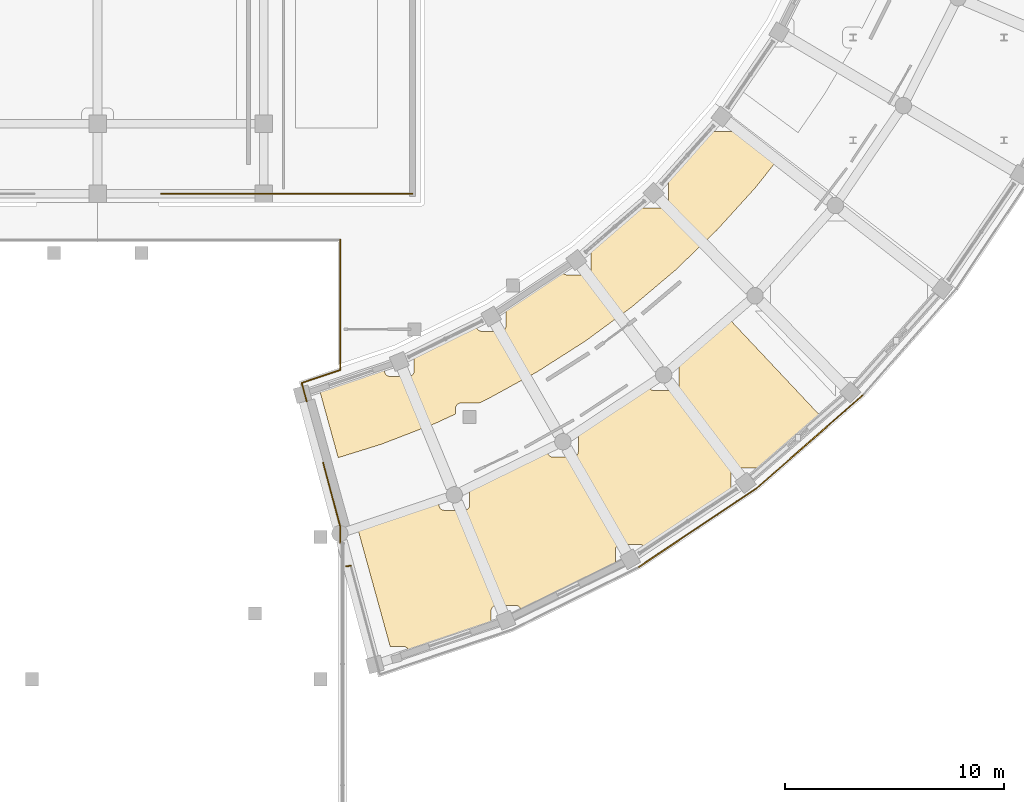
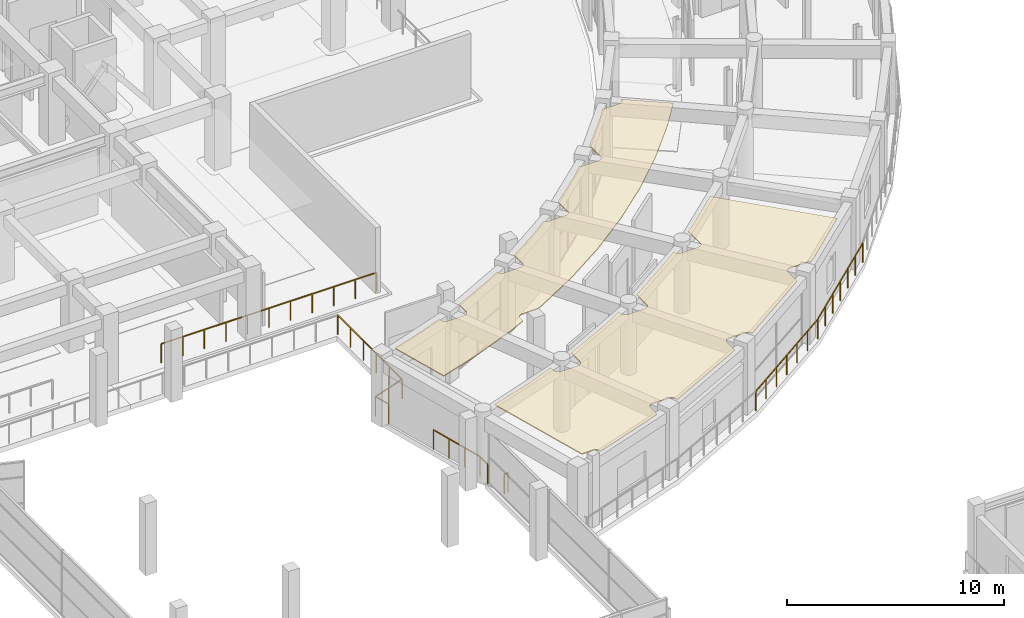
# One storey, part 73 of 87: 9 railings, 2 coverings.
"""IFC4 building model written with IfcOpenShell, lengths in metres."""

import ifcopenshell
import ifcopenshell.guid

model = None  # the IFC model being written
_history = None  # IfcOwnerHistory: only IFC2X3 demands one
_inside = {}  # id of a spatial element -> (the spatial element, [elements in it])
_under = {}  # id of a project, library or spatial element -> (it, [spatial elements below it])
_declared = {}  # id of a project -> (the project, [libraries it declares])
_typed = {}  # id of a type object -> (the type object, [elements of that type])
_made_of = {}  # id of a material, layer set ... -> (it, [elements and type objects made of it])


def new_model(schema):
    """Start an empty IFC model of exactly this schema.

    Asked for "IFC4X3", IfcOpenShell would pick the latest addendum, in which some entities
    have other attributes; the version numbers below select the first issue.
    IFC2X3 requires an IfcOwnerHistory on every rooted entity: one is made here for all.
    """
    global model, _history
    if schema == "IFC4X3":
        model = ifcopenshell.file(schema_version=(4, 3, 0, 0))
    else:
        model = ifcopenshell.file(schema=schema)
    _inside.clear()
    _under.clear()
    _declared.clear()
    _typed.clear()
    _made_of.clear()
    _history = None
    if model.schema == "IFC2X3":
        org = make("IfcOrganization", Name="unknown")
        user = make(
            "IfcPersonAndOrganization",
            ThePerson=make("IfcPerson", FamilyName="unknown"),
            TheOrganization=org,
        )
        app = make(
            "IfcApplication",
            ApplicationDeveloper=org,
            Version="unknown",
            ApplicationFullName="unknown",
            ApplicationIdentifier="unknown",
        )
        _history = make(
            "IfcOwnerHistory",
            OwningUser=user,
            OwningApplication=app,
            ChangeAction="ADDED",
            CreationDate=0,
        )
    return model


def make(cls, **values):
    """One entity of the class cls with the attributes given. An attribute that is None is left unset."""
    return model.create_entity(
        cls, **{name: value for name, value in values.items() if value is not None}
    )


def rooted(cls, **values):
    """An entity with a GlobalId (a new one), such as an element, a storey or a relation."""
    return make(cls, GlobalId=ifcopenshell.guid.new(), OwnerHistory=_history, **values)


def si_unit(unit_type, name, prefix=None):
    """IfcSIUnit, for example si_unit("LENGTHUNIT", "METRE", prefix="MILLI")."""
    return make("IfcSIUnit", UnitType=unit_type, Prefix=prefix, Name=name)


def assignment(units):
    """IfcUnitAssignment: the units of a project."""
    return None if units is None else make("IfcUnitAssignment", Units=units)


def point(xyz):
    """IfcCartesianPoint."""
    return None if xyz is None else make("IfcCartesianPoint", Coordinates=xyz)


def direction(xyz):
    """IfcDirection."""
    return None if xyz is None else make("IfcDirection", DirectionRatios=xyz)


def frame(location, z_axis=None, x_axis=None):
    """IfcAxis2Placement3D, a coordinate frame: its origin and axes. An axis left out is left unset."""
    return make(
        "IfcAxis2Placement3D",
        Location=point(location),
        Axis=direction(z_axis),
        RefDirection=direction(x_axis),
    )


def frame_2d(location, x_axis=None):
    """IfcAxis2Placement2D, a coordinate frame in the plane: its origin and x axis."""
    return make(
        "IfcAxis2Placement2D", Location=point(location), RefDirection=direction(x_axis)
    )


def origin():
    """The frame at (0, 0, 0) with its axes left unset."""
    return frame((0.0, 0.0, 0.0))


def origin_2d():
    """The frame at (0, 0) in the plane with its x axis left unset."""
    return frame_2d((0.0, 0.0))


def place(relative_to, where):
    """IfcLocalPlacement: puts the frame where relative to a parent placement (None: the world)."""
    return make(
        "IfcLocalPlacement", PlacementRelTo=relative_to, RelativePlacement=where
    )


def context(
    kind, dimensions, precision=None, world=None, true_north=None, identifier=None
):
    """IfcGeometricRepresentationContext, for example the 3D "Model" context."""
    return make(
        "IfcGeometricRepresentationContext",
        ContextIdentifier=identifier,
        ContextType=kind,
        CoordinateSpaceDimension=dimensions,
        Precision=precision,
        WorldCoordinateSystem=world,
        TrueNorth=true_north,
    )


def subcontext(parent, identifier, kind, view, scale=None):
    """IfcGeometricRepresentationSubContext, for example "Body" below "Model"."""
    return make(
        "IfcGeometricRepresentationSubContext",
        ContextIdentifier=identifier,
        ContextType=kind,
        ParentContext=parent,
        TargetScale=scale,
        TargetView=view,
    )


def project(units=None, contexts=None):
    """IfcProject with its units and contexts."""
    return rooted(
        "IfcProject",
        Name="project",
        RepresentationContexts=contexts,
        UnitsInContext=assignment(units),
    )


def spatial(cls, under=None, at=None, **own):
    """A site, building, storey or space (cls), placed at a placement, below another one or the project."""
    s = rooted(cls, ObjectPlacement=at, **own)
    if under is not None:
        _under.setdefault(under.id(), (under, []))[1].append(s)
    return s


def polyline(points):
    """IfcPolyline through the points."""
    return make("IfcPolyline", Points=[point(p) for p in points])


def profile(cls, at=None, kind="AREA", **sizes):
    """A parametric profile (cls). Its sizes go by their IFC names, for example OverallWidth=200.0."""
    return make(cls, ProfileType=kind, Position=at, **sizes)


def rectangle(**sizes):
    """IfcRectangleProfileDef."""
    return profile("IfcRectangleProfileDef", **sizes)


def outline(outer, holes=None, kind="AREA"):
    """IfcArbitraryClosedProfileDef: a profile drawn as a closed curve; with holes, ...WithVoids."""
    if holes is None:
        return make("IfcArbitraryClosedProfileDef", ProfileType=kind, OuterCurve=outer)
    return make(
        "IfcArbitraryProfileDefWithVoids",
        ProfileType=kind,
        OuterCurve=outer,
        InnerCurves=holes,
    )


def extrude(swept, where, along, depth):
    """IfcExtrudedAreaSolid: the profile swept, set in the frame where, extruded along a direction by depth."""
    return make(
        "IfcExtrudedAreaSolid",
        SweptArea=swept,
        Position=where,
        ExtrudedDirection=direction(along),
        Depth=depth,
    )


def shape(context_of_items, identifier, shape_type, items):
    """IfcShapeRepresentation: the items that make up one representation, for example the "Body"."""
    return make(
        "IfcShapeRepresentation",
        ContextOfItems=context_of_items,
        RepresentationIdentifier=identifier,
        RepresentationType=shape_type,
        Items=items,
    )


def material(Name=None, Category=None):
    """IfcMaterial."""
    return make("IfcMaterial", Name=Name, Category=Category)


def layer(
    of_material, thickness, ventilated=None, Name=None, Category=None, Priority=None
):
    """IfcMaterialLayer: one layer of a wall or slab, of a material (None: an air gap)."""
    return make(
        "IfcMaterialLayer",
        Material=of_material,
        LayerThickness=thickness,
        IsVentilated=ventilated,
        Name=Name,
        Category=Category,
        Priority=Priority,
    )


def layer_set(layers, Name=None):
    """IfcMaterialLayerSet."""
    return make("IfcMaterialLayerSet", MaterialLayers=layers, LayerSetName=Name)


def made_of(thing, what):
    """Note that an element or type object is made of a material, layer set ...; save() writes the relation."""
    if what is not None:
        _made_of.setdefault(what.id(), (what, []))[1].append(thing)
    return thing


def type_object(cls, material=None, **own):
    """A type object (cls), such as IfcWallType, which elements share."""
    return made_of(rooted(cls, **own), material)


def element(
    cls,
    number,
    at=None,
    inside=None,
    cuts=None,
    type_object=None,
    material=None,
    context=None,
    identifier="Body",
    shape_type=None,
    held_by="IfcProductDefinitionShape",
    body=None,
    shapes=None,
    **own,
):
    """One element of the class cls, such as IfcWall. Its Tag is "e" and its number.

    at: its placement. inside: the storey or other place that contains it. cuts: it is an
    opening in that element (IfcRelVoidsElement). A single representation is given by context,
    identifier, shape_type and body (its items); several are given by shapes. held_by: the class
    of the entity that holds the representations. save() writes the other relations.
    """
    e = rooted(cls, Tag="e%d" % number, ObjectPlacement=at, **own)
    if body is not None:
        shapes = [shape(context, identifier, shape_type, body)]
    if shapes is not None:
        e.Representation = make(held_by, Representations=shapes)
    if inside is not None:
        _inside.setdefault(inside.id(), (inside, []))[1].append(e)
    if cuts is not None:
        rooted(
            "IfcRelVoidsElement", RelatingBuildingElement=cuts, RelatedOpeningElement=e
        )
    if type_object is not None:
        _typed.setdefault(type_object.id(), (type_object, []))[1].append(e)
    return made_of(e, material)


def aggregate(whole, parts):
    """IfcRelAggregates: a whole, such as a stair, and the parts it consists of."""
    return rooted("IfcRelAggregates", RelatingObject=whole, RelatedObjects=parts)


def save(model, path):
    """Write the relations noted so far, then the file.

    IfcRelAggregates (storeys below a building ...), IfcRelContainedInSpatialStructure (elements
    in a storey), IfcRelDefinesByType, IfcRelAssociatesMaterial and IfcRelDeclares: one each for
    every whole, place, type object, material and project.
    """
    for whole, parts in _under.values():
        aggregate(whole, parts)
    for where, things in _inside.values():
        rooted(
            "IfcRelContainedInSpatialStructure",
            RelatedElements=things,
            RelatingStructure=where,
        )
    for kind, things in _typed.values():
        rooted("IfcRelDefinesByType", RelatedObjects=things, RelatingType=kind)
    for what, things in _made_of.values():
        rooted("IfcRelAssociatesMaterial", RelatedObjects=things, RelatingMaterial=what)
    for by, libraries in _declared.values():
        rooted("IfcRelDeclares", RelatingContext=by, RelatedDefinitions=libraries)
    model.write(path)


model = new_model("IFC4")

# Units and contexts
model_context = context("Model", 3, precision=1e-05, world=origin(), true_north=direction((0.0, 1.0)))
body_context = subcontext(model_context, "Body", "Model", "MODEL_VIEW")
ifc_project = project(units=[si_unit("LENGTHUNIT", "METRE"), si_unit("AREAUNIT", "SQUARE_METRE"), si_unit("VOLUMEUNIT", "CUBIC_METRE"), si_unit("PLANEANGLEUNIT", "RADIAN"), si_unit("MASSUNIT", "GRAM", prefix="KILO")], contexts=[model_context])

# Site, building, storey
site_placement = place(None, origin())
site = spatial("IfcSite", under=ifc_project, at=site_placement, CompositionType="ELEMENT")
building_placement = place(site_placement, origin())
building = spatial("IfcBuilding", under=site, at=building_placement, Name="Saryqyr Civic Hall", CompositionType="ELEMENT")
storey_placement = place(building_placement, frame((0.0, 0.0, 5.10009765625)))
storey = spatial("IfcBuildingStorey", under=building, at=storey_placement, Name="L01", CompositionType="ELEMENT", Elevation=5.10009765625)

# Coverings
ifc_material_1 = material(Name="Mineral-fibre acoustic ceiling tile", Category="acoustic_tile")
ifc_layer_1 = layer(ifc_material_1, 0.06005859375, Name="Mineral-fibre acoustic ceiling tile")
ifc_layer_set_1 = layer_set([ifc_layer_1], Name="Mineral-fibre acoustic ceiling tile")
covering_type = type_object("IfcCoveringType", Name="INT-COV-CEIL-60", PredefinedType="CEILING", material=ifc_layer_set_1)
covering_1_placement = place(storey_placement, frame((0.0, 0.0, 3.7099609375)))
element("IfcCovering", 1, at=covering_1_placement, inside=storey, type_object=covering_type, Name="Acoustic ceiling Accredited Press Workroom & Media Lounge", PredefinedType="CEILING", context=body_context, shape_type="SweptSolid", body=[
    extrude(outline(polyline([(72.6083984375, 44.228515625), (72.6083984375, 43.975830078125), (72.609619140625, 43.951416015625), (72.613037109375, 43.927001953125), (72.619140625, 43.9033203125), (72.627197265625, 43.880126953125), (72.6376953125, 43.858154296875), (72.650390625, 43.8369140625), (72.6650390625, 43.8173828125), (72.681396484375, 43.799072265625), (72.69970703125, 43.78271484375), (72.719482421875, 43.76806640625), (72.740478515625, 43.75537109375), (72.7626953125, 43.744873046875), (72.78564453125, 43.73681640625), (72.8095703125, 43.730712890625), (72.833740234375, 43.72705078125), (72.8583984375, 43.725830078125), (73.768310546875, 43.725830078125), (73.792724609375, 43.72705078125), (73.817138671875, 43.730712890625), (73.8408203125, 43.73681640625), (73.864013671875, 43.744873046875), (73.885986328125, 43.75537109375), (73.9072265625, 43.76806640625), (73.927001953125, 43.78271484375), (73.945068359375, 43.799072265625), (73.961669921875, 43.8173828125), (73.976318359375, 43.8369140625), (73.98876953125, 43.858154296875), (73.999267578125, 43.880126953125), (74.007568359375, 43.9033203125), (74.013427734375, 43.927001953125), (74.01708984375, 43.951416015625), (74.018310546875, 43.975830078125), (74.018310546875, 44.785888671875), (76.609619140625, 46.01318359375), (76.6435546875, 46.03076171875), (77.572021484375, 46.552001953125), (77.572021484375, 46.408447265625), (77.5732421875, 46.3837890625), (77.576904296875, 46.359619140625), (77.582763671875, 46.335693359375), (77.591064453125, 46.312744140625), (77.6015625, 46.29052734375), (77.614013671875, 46.26953125), (77.628662109375, 46.249755859375), (77.645263671875, 46.231689453125), (77.663330078125, 46.215087890625), (77.68310546875, 46.200439453125), (77.7041015625, 46.18798828125), (77.726318359375, 46.177490234375), (77.74951171875, 46.169189453125), (77.773193359375, 46.1630859375), (77.797607421875, 46.15966796875), (77.822021484375, 46.158447265625), (78.73193359375, 46.158447265625), (78.756591796875, 46.15966796875), (78.78076171875, 46.1630859375), (78.8046875, 46.169189453125), (78.82763671875, 46.177490234375), (78.849853515625, 46.18798828125), (78.870849609375, 46.200439453125), (78.890625, 46.215087890625), (78.90869140625, 46.231689453125), (78.92529296875, 46.249755859375), (78.93994140625, 46.26953125), (78.952392578125, 46.29052734375), (78.962890625, 46.312744140625), (78.97119140625, 46.335693359375), (78.977294921875, 46.359619140625), (78.980712890625, 46.3837890625), (78.98193359375, 46.408447265625), (78.98193359375, 47.318359375), (78.980712890625, 47.343017578125), (78.980712890625, 47.34326171875), (79.196533203125, 47.46435546875), (79.229248046875, 47.484375), (81.6767578125, 49.091796875), (81.7080078125, 49.11376953125), (82.180908203125, 49.473388671875), (82.180908203125, 49.460205078125), (82.181884765625, 49.435791015625), (82.185546875, 49.41162109375), (82.191650390625, 49.3876953125), (82.19970703125, 49.364501953125), (82.210205078125, 49.342529296875), (82.222900390625, 49.3212890625), (82.237548828125, 49.3017578125), (82.25390625, 49.283447265625), (82.272216796875, 49.26708984375), (82.2919921875, 49.25244140625), (82.31298828125, 49.23974609375), (82.335205078125, 49.229248046875), (82.358154296875, 49.22119140625), (82.382080078125, 49.215087890625), (82.40625, 49.21142578125), (82.430908203125, 49.210205078125), (83.3408203125, 49.210205078125), (83.365234375, 49.21142578125), (83.3896484375, 49.215087890625), (83.413330078125, 49.22119140625), (83.4365234375, 49.229248046875), (83.45849609375, 49.23974609375), (83.479736328125, 49.25244140625), (83.49951171875, 49.26708984375), (83.517578125, 49.283447265625), (83.5341796875, 49.3017578125), (83.548583984375, 49.3212890625), (83.561279296875, 49.342529296875), (83.57177734375, 49.364501953125), (83.580078125, 49.3876953125), (83.5859375, 49.41162109375), (83.589599609375, 49.435791015625), (83.5908203125, 49.460205078125), (83.5908203125, 50.370361328125), (83.589599609375, 50.394775390625), (83.5859375, 50.419189453125), (83.580078125, 50.44287109375), (83.57177734375, 50.466064453125), (83.561279296875, 50.488037109375), (83.548583984375, 50.50927734375), (83.546142578125, 50.512451171875), (84.0380859375, 50.886962890625), (84.067626953125, 50.9111328125), (85.869873046875, 52.491455078125), (90.07763671875, 48.01611328125), (87.547119140625, 45.796875), (87.2529296875, 45.572998046875), (87.242431640625, 45.584716796875), (87.22412109375, 45.60107421875), (87.20458984375, 45.61572265625), (87.183349609375, 45.62841796875), (87.161376953125, 45.638916015625), (87.13818359375, 45.64697265625), (87.114501953125, 45.653076171875), (87.090087890625, 45.656494140625), (87.065673828125, 45.65771484375), (86.20556640625, 45.65771484375), (86.18115234375, 45.656494140625), (86.15673828125, 45.653076171875), (86.133056640625, 45.64697265625), (86.10986328125, 45.638916015625), (86.087890625, 45.62841796875), (86.066650390625, 45.61572265625), (86.047119140625, 45.60107421875), (86.02880859375, 45.584716796875), (86.01220703125, 45.56640625), (85.997802734375, 45.546630859375), (85.985107421875, 45.525634765625), (85.974609375, 45.50341796875), (85.96630859375, 45.48046875), (85.96044921875, 45.45654296875), (85.956787109375, 45.432373046875), (85.95556640625, 45.40771484375), (85.95556640625, 44.585693359375), (85.888916015625, 44.534912109375), (82.183349609375, 42.058837890625), (82.031494140625, 41.9736328125), (82.0283203125, 41.986328125), (82.02001953125, 42.009521484375), (82.009521484375, 42.031494140625), (81.9970703125, 42.052490234375), (81.982421875, 42.072265625), (81.9658203125, 42.090576171875), (81.94775390625, 42.10693359375), (81.927978515625, 42.12158203125), (81.906982421875, 42.13427734375), (81.884765625, 42.144775390625), (81.86181640625, 42.15283203125), (81.837890625, 42.158935546875), (81.813720703125, 42.16259765625), (81.7890625, 42.163818359375), (80.92919921875, 42.163818359375), (80.904541015625, 42.16259765625), (80.88037109375, 42.158935546875), (80.8564453125, 42.15283203125), (80.83349609375, 42.144775390625), (80.811279296875, 42.13427734375), (80.790283203125, 42.12158203125), (80.7705078125, 42.10693359375), (80.752197265625, 42.090576171875), (80.73583984375, 42.072265625), (80.72119140625, 42.052490234375), (80.70849609375, 42.031494140625), (80.697998046875, 42.009521484375), (80.68994140625, 41.986328125), (80.683837890625, 41.96240234375), (80.680419921875, 41.938232421875), (80.67919921875, 41.913818359375), (80.67919921875, 41.214111328125), (80.395751953125, 41.05517578125), (76.3583984375, 39.064208984375), (76.3564453125, 39.063232421875), (76.3564453125, 39.12890625), (76.355224609375, 39.1533203125), (76.3515625, 39.177734375), (76.345703125, 39.201416015625), (76.33740234375, 39.224609375), (76.326904296875, 39.24658203125), (76.314208984375, 39.267822265625), (76.2998046875, 39.28759765625), (76.283203125, 39.3056640625), (76.264892578125, 39.322265625), (76.245361328125, 39.3369140625), (76.22412109375, 39.349365234375), (76.2021484375, 39.35986328125), (76.178955078125, 39.3681640625), (76.1552734375, 39.3740234375), (76.130859375, 39.377685546875), (76.1064453125, 39.37890625), (75.246337890625, 39.37890625), (75.221923828125, 39.377685546875), (75.197509765625, 39.3740234375), (75.173828125, 39.3681640625), (75.150634765625, 39.35986328125), (75.128662109375, 39.349365234375), (75.107421875, 39.3369140625), (75.087890625, 39.322265625), (75.069580078125, 39.3056640625), (75.052978515625, 39.28759765625), (75.03857421875, 39.267822265625), (75.02587890625, 39.24658203125), (75.015380859375, 39.224609375), (75.007080078125, 39.201416015625), (75.001220703125, 39.177734375), (74.99755859375, 39.1533203125), (74.996337890625, 39.12890625), (74.996337890625, 38.53125), (74.52001953125, 38.344970703125), (71.2255859375, 37.24072265625), (71.2255859375, 37.25048828125), (71.224365234375, 37.275146484375), (71.220703125, 37.29931640625), (71.21484375, 37.3232421875), (71.20654296875, 37.34619140625), (71.196044921875, 37.368408203125), (71.18359375, 37.389404296875), (71.1689453125, 37.4091796875), (71.15234375, 37.427490234375), (71.13427734375, 37.44384765625), (71.114501953125, 37.45849609375), (71.093505859375, 37.47119140625), (71.0712890625, 37.481689453125), (71.048095703125, 37.48974609375), (71.0244140625, 37.495849609375), (71.0, 37.49951171875), (70.9755859375, 37.50048828125), (70.378662109375, 37.50048828125), (68.877685546875, 42.94921875), (71.165283203125, 43.665283203125), (71.201171875, 43.677978515625), (72.6083984375, 44.228515625)])), origin(), (0.0, 0.0, 1.0), 0.06005859375),
])
covering_2_placement = place(storey_placement, frame((0.0, 0.0, 3.7099609375)))
element("IfcCovering", 2, at=covering_2_placement, inside=storey, type_object=covering_type, Name="Acoustic ceiling Public Relations & Civic Open-Data Desk", PredefinedType="CEILING", context=body_context, shape_type="SweptSolid", body=[
    extrude(outline(polyline([(70.11767578125, 50.1025390625), (70.118896484375, 50.078125), (70.12255859375, 50.0537109375), (70.12841796875, 50.030029296875), (70.13671875, 50.0068359375), (70.147216796875, 49.98486328125), (70.159912109375, 49.963623046875), (70.17431640625, 49.944091796875), (70.19091796875, 49.92578125), (70.208984375, 49.9091796875), (70.228759765625, 49.894775390625), (70.25, 49.882080078125), (70.27197265625, 49.87158203125), (70.295166015625, 49.86328125), (70.31884765625, 49.857421875), (70.34326171875, 49.853759765625), (70.36767578125, 49.8525390625), (71.227783203125, 49.8525390625), (71.252197265625, 49.853759765625), (71.276611328125, 49.857421875), (71.30029296875, 49.86328125), (71.323486328125, 49.87158203125), (71.345458984375, 49.882080078125), (71.36669921875, 49.894775390625), (71.38623046875, 49.9091796875), (71.404541015625, 49.92578125), (71.4208984375, 49.944091796875), (71.435546875, 49.963623046875), (71.4482421875, 49.98486328125), (71.458740234375, 50.0068359375), (71.466796875, 50.030029296875), (71.472900390625, 50.0537109375), (71.4765625, 50.078125), (71.477783203125, 50.1025390625), (71.477783203125, 50.754638671875), (73.35205078125, 51.62548828125), (73.384765625, 51.64208984375), (74.31640625, 52.152587890625), (74.317138671875, 52.135498046875), (74.32080078125, 52.111083984375), (74.32666015625, 52.08740234375), (74.3349609375, 52.064208984375), (74.345458984375, 52.042236328125), (74.35791015625, 52.02099609375), (74.37255859375, 52.00146484375), (74.38916015625, 51.983154296875), (74.4072265625, 51.966796875), (74.427001953125, 51.9521484375), (74.447998046875, 51.939453125), (74.47021484375, 51.928955078125), (74.493408203125, 51.9208984375), (74.51708984375, 51.914794921875), (74.54150390625, 51.9111328125), (74.56591796875, 51.909912109375), (75.42578125, 51.909912109375), (75.450439453125, 51.9111328125), (75.474609375, 51.914794921875), (75.49853515625, 51.9208984375), (75.521484375, 51.928955078125), (75.543701171875, 51.939453125), (75.564697265625, 51.9521484375), (75.58447265625, 51.966796875), (75.602783203125, 51.983154296875), (75.619140625, 52.00146484375), (75.6337890625, 52.02099609375), (75.646484375, 52.042236328125), (75.656982421875, 52.064208984375), (75.6650390625, 52.08740234375), (75.671142578125, 52.111083984375), (75.6748046875, 52.135498046875), (75.67578125, 52.159912109375), (75.67578125, 52.91552734375), (76.388916015625, 53.370361328125), (76.404541015625, 53.37109375), (76.4287109375, 53.374755859375), (76.45263671875, 53.380859375), (76.4755859375, 53.388916015625), (76.497802734375, 53.3994140625), (76.518798828125, 53.412109375), (76.53857421875, 53.4267578125), (76.556884765625, 53.443115234375), (76.5732421875, 53.46142578125), (76.587890625, 53.481201171875), (76.6005859375, 53.502197265625), (76.602783203125, 53.5068359375), (77.49951171875, 54.0791015625), (77.52978515625, 54.099853515625), (78.242919921875, 54.62451171875), (78.243408203125, 54.62353515625), (78.256103515625, 54.602294921875), (78.270751953125, 54.582763671875), (78.287109375, 54.564453125), (78.305419921875, 54.548095703125), (78.3251953125, 54.533447265625), (78.34619140625, 54.520751953125), (78.368408203125, 54.51025390625), (78.391357421875, 54.502197265625), (78.415283203125, 54.49609375), (78.439453125, 54.492431640625), (78.464111328125, 54.4912109375), (79.323974609375, 54.4912109375), (79.348388671875, 54.492431640625), (79.372802734375, 54.49609375), (79.396484375, 54.502197265625), (79.419677734375, 54.51025390625), (79.44189453125, 54.520751953125), (79.462890625, 54.533447265625), (79.482666015625, 54.548095703125), (79.500732421875, 54.564453125), (79.517333984375, 54.582763671875), (79.531982421875, 54.602294921875), (79.54443359375, 54.62353515625), (79.554931640625, 54.6455078125), (79.563232421875, 54.668701171875), (79.569091796875, 54.6923828125), (79.57275390625, 54.716796875), (79.573974609375, 54.7412109375), (79.573974609375, 55.601318359375), (79.5732421875, 55.6162109375), (81.28515625, 57.060791015625), (81.312255859375, 57.085205078125), (81.8486328125, 57.6025390625), (81.85791015625, 57.595703125), (81.879150390625, 57.5830078125), (81.901123046875, 57.572509765625), (81.92431640625, 57.564208984375), (81.947998046875, 57.558349609375), (81.972412109375, 57.5546875), (81.996826171875, 57.553466796875), (82.85693359375, 57.553466796875), (82.88134765625, 57.5546875), (82.90576171875, 57.558349609375), (82.929443359375, 57.564208984375), (82.95263671875, 57.572509765625), (82.974609375, 57.5830078125), (82.995849609375, 57.595703125), (83.015380859375, 57.610107421875), (83.03369140625, 57.626708984375), (83.05029296875, 57.64501953125), (83.064697265625, 57.66455078125), (83.077392578125, 57.685791015625), (83.087890625, 57.707763671875), (83.09619140625, 57.73095703125), (83.10205078125, 57.754638671875), (83.105712890625, 57.779052734375), (83.10693359375, 57.803466796875), (83.10693359375, 58.66357421875), (83.105712890625, 58.68798828125), (83.10205078125, 58.71240234375), (83.09619140625, 58.736083984375), (83.087890625, 58.75927734375), (83.077392578125, 58.78125), (83.072998046875, 58.788818359375), (84.64208984375, 60.51806640625), (84.665771484375, 60.5458984375), (85.06494140625, 61.049072265625), (85.081298828125, 61.046630859375), (85.105712890625, 61.04541015625), (85.9658203125, 61.04541015625), (85.990234375, 61.046630859375), (86.014404296875, 61.05029296875), (86.038330078125, 61.056396484375), (86.061279296875, 61.064453125), (86.08349609375, 61.074951171875), (86.1044921875, 61.087646484375), (86.124267578125, 61.102294921875), (86.142578125, 61.11865234375), (86.158935546875, 61.136962890625), (86.173583984375, 61.156494140625), (86.186279296875, 61.177734375), (86.19677734375, 61.19970703125), (86.204833984375, 61.222900390625), (86.2109375, 61.24658203125), (86.214599609375, 61.27099609375), (86.2158203125, 61.29541015625), (86.2158203125, 61.329833984375), (88.159912109375, 59.837890625), (87.07861328125, 58.474365234375), (85.31640625, 56.53271484375), (83.42919921875, 54.712158203125), (81.42529296875, 53.021240234375), (79.313232421875, 51.467041015625), (77.102783203125, 50.056640625), (74.8037109375, 48.796142578125), (74.43310546875, 48.6240234375), (74.4287109375, 48.625244140625), (74.404541015625, 48.62890625), (74.3798828125, 48.6298828125), (73.6201171875, 48.6298828125), (73.595458984375, 48.62890625), (73.5712890625, 48.625244140625), (73.54736328125, 48.619140625), (73.5244140625, 48.611083984375), (73.502197265625, 48.6005859375), (73.481201171875, 48.587890625), (73.46142578125, 48.5732421875), (73.443115234375, 48.556884765625), (73.4267578125, 48.53857421875), (73.412109375, 48.518798828125), (73.3994140625, 48.497802734375), (73.388916015625, 48.4755859375), (73.380859375, 48.45263671875), (73.374755859375, 48.4287109375), (73.37109375, 48.404541015625), (73.3701171875, 48.3798828125), (73.3701171875, 48.1298828125), (72.425537109375, 47.691162109375), (69.9794921875, 46.74658203125), (68.00146484375, 46.13037109375), (67.1572265625, 49.195556640625), (68.916015625, 49.74365234375), (68.950439453125, 49.755615234375), (70.11767578125, 50.206298828125), (70.11767578125, 50.1025390625)])), origin(), (0.0, 0.0, 1.0), 0.06005859375),
])

# Railings
ifc_material_2 = material(Name="Warm brushed brass and laminated glass", Category="glass")
ifc_layer_2 = layer(ifc_material_2, 0.06005859375, Name="Warm brushed brass and laminated glass")
ifc_layer_set_2 = layer_set([ifc_layer_2], Name="Warm brushed brass and laminated glass")
railing_type = type_object("IfcRailingType", Name="INT-RLG-BAL-1100", PredefinedType="BALUSTRADE", material=ifc_layer_set_2)
railing_1_placement = place(storey_placement, frame((59.89990234375, 58.199951171875, 0.0)))
element("IfcRailing", 3, at=railing_1_placement, inside=storey, type_object=railing_type, Name="Perimeter safety balustrade V1-JNTGB-L01-11-G01", PredefinedType="BALUSTRADE", context=body_context, shape_type="SweptSolid", body=[
    extrude(rectangle(XDim=0.048095703125, YDim=0.048095703125, at=origin_2d()), frame((0.0, 0.0, 1.076171875), z_axis=(1.0, 0.0, 0.0), x_axis=(0.0, 1.0, 0.0)), (0.0, 0.0, 1.0), 11.5),
    extrude(rectangle(XDim=0.0419921875, YDim=0.0419921875, at=origin_2d()), origin(), (0.0, 0.0, 1.0), 1.052001953125),
    extrude(rectangle(XDim=0.0419921875, YDim=0.0419921875, at=origin_2d()), frame((1.14990234375, 0.0, 0.0)), (0.0, 0.0, 1.0), 1.052001953125),
    extrude(rectangle(XDim=0.0419921875, YDim=0.0419921875, at=origin_2d()), frame((2.300048828125, 0.0, 0.0)), (0.0, 0.0, 1.0), 1.052001953125),
    extrude(rectangle(XDim=0.0419921875, YDim=0.0419921875, at=origin_2d()), frame((3.449951171875, 0.0, 0.0)), (0.0, 0.0, 1.0), 1.052001953125),
    extrude(rectangle(XDim=0.0419921875, YDim=0.0419921875, at=origin_2d()), frame((4.60009765625, 0.0, 0.0)), (0.0, 0.0, 1.0), 1.052001953125),
    extrude(rectangle(XDim=0.0419921875, YDim=0.0419921875, at=origin_2d()), frame((5.75, 0.0, 0.0)), (0.0, 0.0, 1.0), 1.052001953125),
    extrude(rectangle(XDim=0.0419921875, YDim=0.0419921875, at=origin_2d()), frame((6.89990234375, 0.0, 0.0)), (0.0, 0.0, 1.0), 1.052001953125),
    extrude(rectangle(XDim=0.0419921875, YDim=0.0419921875, at=origin_2d()), frame((8.050048828125, 0.0, 0.0)), (0.0, 0.0, 1.0), 1.052001953125),
    extrude(rectangle(XDim=0.0419921875, YDim=0.0419921875, at=origin_2d()), frame((9.199951171875, 0.0, 0.0)), (0.0, 0.0, 1.0), 1.052001953125),
    extrude(rectangle(XDim=0.0419921875, YDim=0.0419921875, at=origin_2d()), frame((10.35009765625, 0.0, 0.0)), (0.0, 0.0, 1.0), 1.052001953125),
    extrude(rectangle(XDim=0.0419921875, YDim=0.0419921875, at=origin_2d()), frame((11.5, 0.0, 0.0)), (0.0, 0.0, 1.0), 1.052001953125),
])
railing_2_placement = place(storey_placement, frame((92.001708984375, 48.998291015625, 0.0)))
element("IfcRailing", 4, at=railing_2_placement, inside=storey, type_object=railing_type, Name="Interior deck safety balustrade L01-048", PredefinedType="BALUSTRADE", context=body_context, shape_type="SweptSolid", body=[
    extrude(rectangle(XDim=0.048095703125, YDim=0.048095703125, at=origin_2d()), frame((0.0, 0.0, 1.09619140625), z_axis=(-0.751856829228, -0.659326405009, 0.0), x_axis=(0.659326405009, -0.751856829228, 0.0)), (0.0, 0.0, 1.0), 6.474853515625),
    extrude(rectangle(XDim=0.0419921875, YDim=0.0419921875, at=origin_2d()), origin(), (0.0, 0.0, 1.0), 1.072021484375),
    extrude(rectangle(XDim=0.0419921875, YDim=0.0419921875, at=origin_2d()), frame((-0.811279296875, -0.71142578125, 0.0)), (0.0, 0.0, 1.0), 1.072021484375),
    extrude(rectangle(XDim=0.0419921875, YDim=0.0419921875, at=origin_2d()), frame((-1.622802734375, -1.423095703125, 0.0)), (0.0, 0.0, 1.0), 1.072021484375),
    extrude(rectangle(XDim=0.0419921875, YDim=0.0419921875, at=origin_2d()), frame((-2.43408203125, -2.134521484375, 0.0)), (0.0, 0.0, 1.0), 1.072021484375),
    extrude(rectangle(XDim=0.0419921875, YDim=0.0419921875, at=origin_2d()), frame((-3.245361328125, -2.845947265625, 0.0)), (0.0, 0.0, 1.0), 1.072021484375),
    extrude(rectangle(XDim=0.0419921875, YDim=0.0419921875, at=origin_2d()), frame((-4.056884765625, -3.5576171875, 0.0)), (0.0, 0.0, 1.0), 1.072021484375),
    extrude(rectangle(XDim=0.0419921875, YDim=0.0419921875, at=origin_2d()), frame((-4.8681640625, -4.26904296875, 0.0)), (0.0, 0.0, 1.0), 1.072021484375),
])
railing_3_placement = place(storey_placement, frame((87.133544921875, 44.729248046875, 0.0)))
element("IfcRailing", 5, at=railing_3_placement, inside=storey, type_object=railing_type, Name="Interior deck safety balustrade L01-049", PredefinedType="BALUSTRADE", context=body_context, shape_type="SweptSolid", body=[
    extrude(rectangle(XDim=0.048095703125, YDim=0.048095703125, at=origin_2d()), frame((0.0, 0.0, 1.09619140625), z_axis=(-0.831452318502, -0.55559611415, 0.0), x_axis=(0.55559611415, -0.831452318502, 0.0)), (0.0, 0.0, 1.0), 6.474853515625),
    extrude(rectangle(XDim=0.0419921875, YDim=0.0419921875, at=origin_2d()), origin(), (0.0, 0.0, 1.0), 1.072021484375),
    extrude(rectangle(XDim=0.0419921875, YDim=0.0419921875, at=origin_2d()), frame((-0.897216796875, -0.599609375, 0.0)), (0.0, 0.0, 1.0), 1.072021484375),
    extrude(rectangle(XDim=0.0419921875, YDim=0.0419921875, at=origin_2d()), frame((-1.79443359375, -1.19921875, 0.0)), (0.0, 0.0, 1.0), 1.072021484375),
    extrude(rectangle(XDim=0.0419921875, YDim=0.0419921875, at=origin_2d()), frame((-2.69189453125, -1.798828125, 0.0)), (0.0, 0.0, 1.0), 1.072021484375),
    extrude(rectangle(XDim=0.0419921875, YDim=0.0419921875, at=origin_2d()), frame((-3.589111328125, -2.398193359375, 0.0)), (0.0, 0.0, 1.0), 1.072021484375),
    extrude(rectangle(XDim=0.0419921875, YDim=0.0419921875, at=origin_2d()), frame((-4.486328125, -2.997802734375, 0.0)), (0.0, 0.0, 1.0), 1.072021484375),
    extrude(rectangle(XDim=0.0419921875, YDim=0.0419921875, at=origin_2d()), frame((-5.383544921875, -3.597412109375, 0.0)), (0.0, 0.0, 1.0), 1.072021484375),
])
railing_4_placement = place(storey_placement, frame((68.57470703125, 41.189208984375, 0.0)))
element("IfcRailing", 6, at=railing_4_placement, inside=storey, type_object=railing_type, Name="Interior deck safety balustrade L01-053", PredefinedType="BALUSTRADE", context=body_context, shape_type="SweptSolid", body=[
    extrude(rectangle(XDim=0.048095703125, YDim=0.048095703125, at=origin_2d()), frame((0.0, 0.0, 1.09619140625), z_axis=(-0.99140431691, -0.130833789262, 0.0), x_axis=(0.130833789262, -0.99140431691, 0.0)), (0.0, 0.0, 1.0), 0.216552734375),
    extrude(rectangle(XDim=0.0419921875, YDim=0.0419921875, at=origin_2d()), origin(), (0.0, 0.0, 1.0), 1.072021484375),
    extrude(rectangle(XDim=0.0419921875, YDim=0.0419921875, at=origin_2d()), frame((-0.214599609375, -0.0283203125, 0.0)), (0.0, 0.0, 1.0), 1.072021484375),
])
railing_5_placement = place(storey_placement, frame((68.10009765625, 50.147705078125, 0.0)))
element("IfcRailing", 7, at=railing_5_placement, inside=storey, type_object=railing_type, Name="Interior deck safety balustrade L01-072", PredefinedType="BALUSTRADE", context=body_context, shape_type="SweptSolid", body=[
    extrude(rectangle(XDim=0.048095703125, YDim=0.048095703125, at=origin_2d()), frame((0.0, 0.0, 1.09619140625), z_axis=(0.0, 1.0, 0.0), x_axis=(-1.0, 0.0, 0.0)), (0.0, 0.0, 1.0), 5.952392578125),
    extrude(rectangle(XDim=0.0419921875, YDim=0.0419921875, at=origin_2d()), origin(), (0.0, 0.0, 1.0), 1.072021484375),
    extrude(rectangle(XDim=0.0419921875, YDim=0.0419921875, at=origin_2d()), frame((0.0, 1.1904296875, 0.0)), (0.0, 0.0, 1.0), 1.072021484375),
    extrude(rectangle(XDim=0.0419921875, YDim=0.0419921875, at=origin_2d()), frame((0.0, 2.380859375, 0.0)), (0.0, 0.0, 1.0), 1.072021484375),
    extrude(rectangle(XDim=0.0419921875, YDim=0.0419921875, at=origin_2d()), frame((0.0, 3.571533203125, 0.0)), (0.0, 0.0, 1.0), 1.072021484375),
    extrude(rectangle(XDim=0.0419921875, YDim=0.0419921875, at=origin_2d()), frame((0.0, 4.761962890625, 0.0)), (0.0, 0.0, 1.0), 1.072021484375),
    extrude(rectangle(XDim=0.0419921875, YDim=0.0419921875, at=origin_2d()), frame((0.0, 5.952392578125, 0.0)), (0.0, 0.0, 1.0), 1.072021484375),
])
railing_6_placement = place(storey_placement, frame((68.10009765625, 42.243408203125, 0.0)))
element("IfcRailing", 8, at=railing_6_placement, inside=storey, type_object=railing_type, Name="Interior deck safety balustrade L01-076", PredefinedType="BALUSTRADE", context=body_context, shape_type="SweptSolid", body=[
    extrude(rectangle(XDim=0.048095703125, YDim=0.048095703125, at=origin_2d()), frame((0.0, 0.0, 1.09619140625), z_axis=(0.0, 1.0, 0.0), x_axis=(-1.0, 0.0, 0.0)), (0.0, 0.0, 1.0), 0.71728515625),
    extrude(rectangle(XDim=0.0419921875, YDim=0.0419921875, at=origin_2d()), origin(), (0.0, 0.0, 1.0), 1.072021484375),
    extrude(rectangle(XDim=0.0419921875, YDim=0.0419921875, at=origin_2d()), frame((0.0, 0.71728515625, 0.0)), (0.0, 0.0, 1.0), 1.072021484375),
])
railing_7_placement = place(storey_placement, frame((68.10009765625, 42.960693359375, 0.0)))
element("IfcRailing", 9, at=railing_7_placement, inside=storey, type_object=railing_type, Name="Interior deck safety balustrade L01-077", PredefinedType="BALUSTRADE", context=body_context, shape_type="SweptSolid", body=[
    extrude(rectangle(XDim=0.048095703125, YDim=0.048095703125, at=origin_2d()), frame((0.0, 0.0, 1.09619140625), z_axis=(-0.258852540361, 0.965916850639, 0.0), x_axis=(-0.965916850639, -0.258852540361, 0.0)), (0.0, 0.0, 1.0), 3.038818359375),
    extrude(rectangle(XDim=0.0419921875, YDim=0.0419921875, at=origin_2d()), origin(), (0.0, 0.0, 1.0), 1.072021484375),
    extrude(rectangle(XDim=0.0419921875, YDim=0.0419921875, at=origin_2d()), frame((-0.26220703125, 0.978515625, 0.0)), (0.0, 0.0, 1.0), 1.072021484375),
    extrude(rectangle(XDim=0.0419921875, YDim=0.0419921875, at=origin_2d()), frame((-0.5244140625, 1.956787109375, 0.0)), (0.0, 0.0, 1.0), 1.072021484375),
    extrude(rectangle(XDim=0.0419921875, YDim=0.0419921875, at=origin_2d()), frame((-0.78662109375, 2.935302734375, 0.0)), (0.0, 0.0, 1.0), 1.072021484375),
])
railing_8_placement = place(storey_placement, frame((66.556396484375, 48.720947265625, 0.0)))
element("IfcRailing", 10, at=railing_8_placement, inside=storey, type_object=railing_type, Name="Interior deck safety balustrade L01-078", PredefinedType="BALUSTRADE", context=body_context, shape_type="SweptSolid", body=[
    extrude(rectangle(XDim=0.048095703125, YDim=0.048095703125, at=origin_2d()), frame((0.0, 0.0, 1.09619140625), z_axis=(-0.258797820574, 0.965931513134, 0.0), x_axis=(-0.965931513134, -0.258797820574, 0.0)), (0.0, 0.0, 1.0), 0.856689453125),
    extrude(rectangle(XDim=0.0419921875, YDim=0.0419921875, at=origin_2d()), origin(), (0.0, 0.0, 1.0), 1.072021484375),
    extrude(rectangle(XDim=0.0419921875, YDim=0.0419921875, at=origin_2d()), frame((-0.2216796875, 0.827392578125, 0.0)), (0.0, 0.0, 1.0), 1.072021484375),
])
railing_9_placement = place(storey_placement, frame((66.334716796875, 49.54833984375, 0.0)))
element("IfcRailing", 11, at=railing_9_placement, inside=storey, type_object=railing_type, Name="Interior deck safety balustrade L01-079", PredefinedType="BALUSTRADE", context=body_context, shape_type="SweptSolid", body=[
    extrude(rectangle(XDim=0.048095703125, YDim=0.048095703125, at=origin_2d()), frame((0.0, 0.0, 1.09619140625), z_axis=(0.946913935302, 0.321487167911, 0.0), x_axis=(-0.321487167911, 0.946913935302, 0.0)), (0.0, 0.0, 1.0), 1.8642578125),
    extrude(rectangle(XDim=0.0419921875, YDim=0.0419921875, at=origin_2d()), origin(), (0.0, 0.0, 1.0), 1.072021484375),
    extrude(rectangle(XDim=0.0419921875, YDim=0.0419921875, at=origin_2d()), frame((0.8828125, 0.2998046875, 0.0)), (0.0, 0.0, 1.0), 1.072021484375),
    extrude(rectangle(XDim=0.0419921875, YDim=0.0419921875, at=origin_2d()), frame((1.765380859375, 0.599365234375, 0.0)), (0.0, 0.0, 1.0), 1.072021484375),
])

save(model, "model.ifc")
